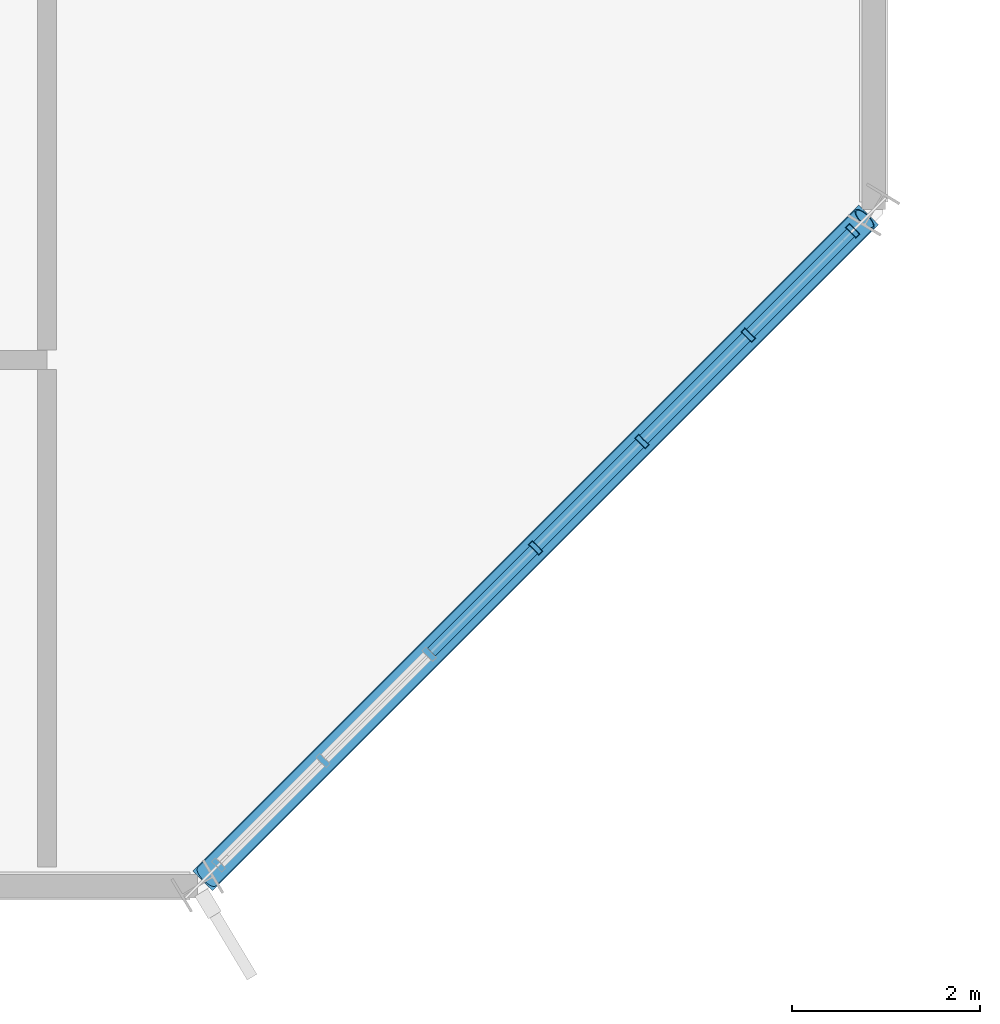
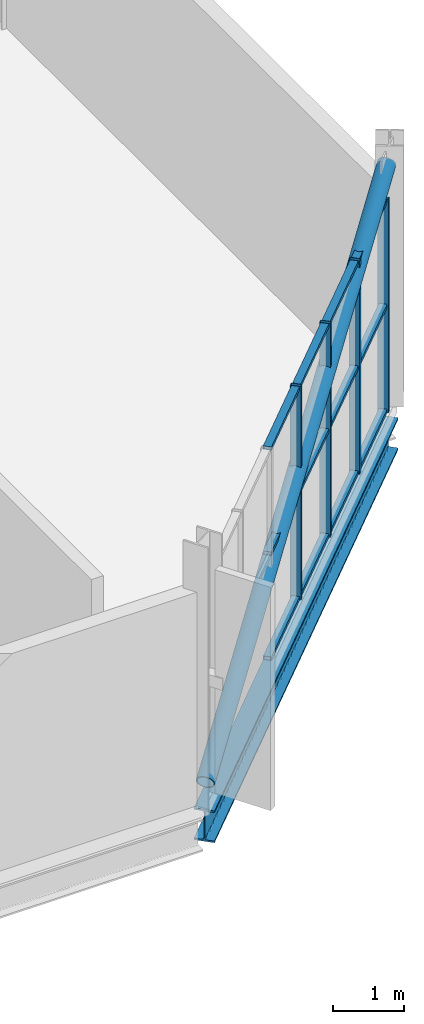
# One storey, part 11 of 22: 17 members, 1 beam, 1 element without a shape of its own.
"""IFC4 building model written with IfcOpenShell, lengths in metres."""

from ifc_helpers import new_model, si_unit, direction, frame, origin, origin_2d, place, context, subcontext, project, spatial, hollow_rectangle, hollow_circle, i_section, extrude, material, layer, layer_set, material_profile, profile_set, type_object, element, aggregate, save


model = new_model("IFC4")

# Units and contexts
model_context = context("Model", 3, precision=1e-05, world=origin(), true_north=direction((0.0, 1.0)))
body_context = subcontext(model_context, "Body", "Model", "MODEL_VIEW")
ifc_project = project(units=[si_unit("LENGTHUNIT", "METRE"), si_unit("AREAUNIT", "SQUARE_METRE"), si_unit("VOLUMEUNIT", "CUBIC_METRE"), si_unit("PLANEANGLEUNIT", "RADIAN"), si_unit("MASSUNIT", "GRAM", prefix="KILO")], contexts=[model_context])

# Site, building, storey
site_placement = place(None, origin())
site = spatial("IfcSite", under=ifc_project, at=site_placement, CompositionType="ELEMENT")
building_placement = place(site_placement, origin())
building = spatial("IfcBuilding", under=site, at=building_placement, Name="Solnavia Interchange Tower", CompositionType="ELEMENT")
storey_placement = place(building_placement, frame((0.0, 0.0, 317.699951171875)))
storey = spatial("IfcBuildingStorey", under=building, at=storey_placement, Name="C04", CompositionType="ELEMENT", Elevation=317.699951171875)

# Curtain wall, members
ifc_material_1 = material(Name="Aluminium Alloy 6063-T6", Category="aluminium")
ifc_layer = layer(ifc_material_1, 0.179931640625)
ifc_layer_set = layer_set([ifc_layer], Name="Aluminium Alloy 6063-T6")
curtain_wall_type = type_object("IfcCurtainWallType", Name="CurtainWall-Crown-CTW6", PredefinedType="NOTDEFINED", material=ifc_layer_set)
curtain_wall_placement = place(storey_placement, origin())
curtain_wall = element("IfcCurtainWall", 1, at=curtain_wall_placement, inside=storey, type_object=curtain_wall_type, Name="CTW-C04-R15 CTW-6 curtain wall", PredefinedType="NOTDEFINED")
ifc_material_profile_1 = material_profile(ifc_material_1, hollow_rectangle(XDim=0.06005859375, YDim=0.159912109375, WallThickness=0.00390625, at=origin_2d()), Name="ALU 160x60x4")
ifc_profile_set_1 = profile_set([ifc_material_profile_1], Name="Aluminium Alloy 6063-T6")
member_type_1 = type_object("IfcMemberType", Name="CW-Mullion-CWM-6", PredefinedType="MULLION", material=ifc_profile_set_1)
member_1_placement = place(storey_placement, frame((39.60009765625, 7.199951171875, 0.0), z_axis=(0.0, 0.0, 1.0), x_axis=(0.707106781187, 0.707106781187, 0.0)))
member_1 = element("IfcMember", 2, at=member_1_placement, type_object=member_type_1, Name="CTW-6 mullion 4", PredefinedType="MULLION", context=body_context, shape_type="SweptSolid", body=[
    extrude(hollow_rectangle(XDim=0.06005859375, YDim=0.159912109375, WallThickness=0.00390625, at=origin_2d()), origin(), (0.0, 0.0, 1.0), 3.679931640625),
])
member_2_placement = place(storey_placement, frame((40.73193359375, 8.33203125, 0.0), z_axis=(0.0, 0.0, 1.0), x_axis=(0.707106781187, 0.707106781187, 0.0)))
member_2 = element("IfcMember", 3, at=member_2_placement, type_object=member_type_1, Name="CTW-6 mullion 5", PredefinedType="MULLION", context=body_context, shape_type="SweptSolid", body=[
    extrude(hollow_rectangle(XDim=0.06005859375, YDim=0.159912109375, WallThickness=0.00390625, at=origin_2d()), origin(), (0.0, 0.0, 1.0), 3.679931640625),
])
member_3_placement = place(storey_placement, frame((41.864013671875, 9.464111328125, 0.0), z_axis=(0.0, 0.0, 1.0), x_axis=(0.707106781187, 0.707106781187, 0.0)))
member_3 = element("IfcMember", 4, at=member_3_placement, type_object=member_type_1, Name="CTW-6 mullion 6", PredefinedType="MULLION", context=body_context, shape_type="SweptSolid", body=[
    extrude(hollow_rectangle(XDim=0.06005859375, YDim=0.159912109375, WallThickness=0.00390625, at=origin_2d()), origin(), (0.0, 0.0, 1.0), 3.679931640625),
])
member_4_placement = place(storey_placement, frame((42.974853515625, 10.57470703125, 0.0), z_axis=(0.0, 0.0, 1.0), x_axis=(0.707106781187, 0.707106781187, 0.0)))
member_4 = element("IfcMember", 5, at=member_4_placement, type_object=member_type_1, Name="CTW-6 mullion 7", PredefinedType="MULLION", context=body_context, shape_type="SweptSolid", body=[
    extrude(hollow_rectangle(XDim=0.06005859375, YDim=0.159912109375, WallThickness=0.00390625, at=origin_2d()), origin(), (0.0, 0.0, 1.0), 3.679931640625),
])
ifc_material_profile_2 = material_profile(ifc_material_1, hollow_rectangle(XDim=0.06005859375, YDim=0.1201171875, WallThickness=0.00390625, at=origin_2d()), Name="ALU 120x60x4")
ifc_profile_set_2 = profile_set([ifc_material_profile_2], Name="Aluminium Alloy 6063-T6")
member_type_2 = type_object("IfcMemberType", Name="CW-Transom-CWT-6", PredefinedType="USERDEFINED", material=ifc_profile_set_2)
member_5_placement = place(storey_placement, frame((38.4892578125, 6.089111328125, 0.030029296875), z_axis=(0.707106781187, 0.707106781187, 0.0), x_axis=(0.0, 0.0, 1.0)))
member_5 = element("IfcMember", 6, at=member_5_placement, type_object=member_type_2, Name="CTW-6 transom 3.1", ObjectType="TRANSOM", PredefinedType="USERDEFINED", context=body_context, shape_type="SweptSolid", body=[
    extrude(hollow_rectangle(XDim=0.06005859375, YDim=0.1201171875, WallThickness=0.00390625, at=origin_2d()), origin(), (0.0, 0.0, 1.0), 1.541015625),
])
member_6_placement = place(storey_placement, frame((38.4892578125, 6.089111328125, 1.840087890625), z_axis=(0.707106781187, 0.707106781187, 0.0), x_axis=(0.0, 0.0, 1.0)))
member_6 = element("IfcMember", 7, at=member_6_placement, type_object=member_type_2, Name="CTW-6 transom 3.2", ObjectType="TRANSOM", PredefinedType="USERDEFINED", context=body_context, shape_type="SweptSolid", body=[
    extrude(hollow_rectangle(XDim=0.06005859375, YDim=0.1201171875, WallThickness=0.00390625, at=origin_2d()), origin(), (0.0, 0.0, 1.0), 1.541015625),
])
member_7_placement = place(storey_placement, frame((38.4892578125, 6.089111328125, 3.650146484375), z_axis=(0.707106781187, 0.707106781187, 0.0), x_axis=(0.0, 0.0, 1.0)))
member_7 = element("IfcMember", 8, at=member_7_placement, type_object=member_type_2, Name="CTW-6 transom 3.3", ObjectType="TRANSOM", PredefinedType="USERDEFINED", context=body_context, shape_type="SweptSolid", body=[
    extrude(hollow_rectangle(XDim=0.06005859375, YDim=0.1201171875, WallThickness=0.00390625, at=origin_2d()), origin(), (0.0, 0.0, 1.0), 1.541015625),
])
member_8_placement = place(storey_placement, frame((39.62109375, 7.22119140625, 0.030029296875), z_axis=(0.707106781187, 0.707106781187, 0.0), x_axis=(0.0, 0.0, 1.0)))
member_8 = element("IfcMember", 9, at=member_8_placement, type_object=member_type_2, Name="CTW-6 transom 4.1", ObjectType="TRANSOM", PredefinedType="USERDEFINED", context=body_context, shape_type="SweptSolid", body=[
    extrude(hollow_rectangle(XDim=0.06005859375, YDim=0.1201171875, WallThickness=0.00390625, at=origin_2d()), origin(), (0.0, 0.0, 1.0), 1.541015625),
])
member_9_placement = place(storey_placement, frame((39.62109375, 7.22119140625, 1.840087890625), z_axis=(0.707106781187, 0.707106781187, 0.0), x_axis=(0.0, 0.0, 1.0)))
member_9 = element("IfcMember", 10, at=member_9_placement, type_object=member_type_2, Name="CTW-6 transom 4.2", ObjectType="TRANSOM", PredefinedType="USERDEFINED", context=body_context, shape_type="SweptSolid", body=[
    extrude(hollow_rectangle(XDim=0.06005859375, YDim=0.1201171875, WallThickness=0.00390625, at=origin_2d()), origin(), (0.0, 0.0, 1.0), 1.541015625),
])
member_10_placement = place(storey_placement, frame((39.62109375, 7.22119140625, 3.650146484375), z_axis=(0.707106781187, 0.707106781187, 0.0), x_axis=(0.0, 0.0, 1.0)))
member_10 = element("IfcMember", 11, at=member_10_placement, type_object=member_type_2, Name="CTW-6 transom 4.3", ObjectType="TRANSOM", PredefinedType="USERDEFINED", context=body_context, shape_type="SweptSolid", body=[
    extrude(hollow_rectangle(XDim=0.06005859375, YDim=0.1201171875, WallThickness=0.00390625, at=origin_2d()), origin(), (0.0, 0.0, 1.0), 1.541015625),
])
member_11_placement = place(storey_placement, frame((40.753173828125, 8.353271484375, 0.030029296875), z_axis=(0.707106781187, 0.707106781187, 0.0), x_axis=(0.0, 0.0, 1.0)))
member_11 = element("IfcMember", 12, at=member_11_placement, type_object=member_type_2, Name="CTW-6 transom 5.1", ObjectType="TRANSOM", PredefinedType="USERDEFINED", context=body_context, shape_type="SweptSolid", body=[
    extrude(hollow_rectangle(XDim=0.06005859375, YDim=0.1201171875, WallThickness=0.00390625, at=origin_2d()), origin(), (0.0, 0.0, 1.0), 1.541015625),
])
member_12_placement = place(storey_placement, frame((40.753173828125, 8.353271484375, 1.840087890625), z_axis=(0.707106781187, 0.707106781187, 0.0), x_axis=(0.0, 0.0, 1.0)))
member_12 = element("IfcMember", 13, at=member_12_placement, type_object=member_type_2, Name="CTW-6 transom 5.2", ObjectType="TRANSOM", PredefinedType="USERDEFINED", context=body_context, shape_type="SweptSolid", body=[
    extrude(hollow_rectangle(XDim=0.06005859375, YDim=0.1201171875, WallThickness=0.00390625, at=origin_2d()), origin(), (0.0, 0.0, 1.0), 1.541015625),
])
member_13_placement = place(storey_placement, frame((40.753173828125, 8.353271484375, 3.650146484375), z_axis=(0.707106781187, 0.707106781187, 0.0), x_axis=(0.0, 0.0, 1.0)))
member_13 = element("IfcMember", 14, at=member_13_placement, type_object=member_type_2, Name="CTW-6 transom 5.3", ObjectType="TRANSOM", PredefinedType="USERDEFINED", context=body_context, shape_type="SweptSolid", body=[
    extrude(hollow_rectangle(XDim=0.06005859375, YDim=0.1201171875, WallThickness=0.00390625, at=origin_2d()), origin(), (0.0, 0.0, 1.0), 1.541015625),
])
member_14_placement = place(storey_placement, frame((41.88525390625, 9.485107421875, 0.030029296875), z_axis=(0.707106781187, 0.707106781187, 0.0), x_axis=(0.0, 0.0, 1.0)))
member_14 = element("IfcMember", 15, at=member_14_placement, type_object=member_type_2, Name="CTW-6 transom 6.1", ObjectType="TRANSOM", PredefinedType="USERDEFINED", context=body_context, shape_type="SweptSolid", body=[
    extrude(hollow_rectangle(XDim=0.06005859375, YDim=0.1201171875, WallThickness=0.00390625, at=origin_2d()), origin(), (0.0, 0.0, 1.0), 1.510986328125),
])
member_15_placement = place(storey_placement, frame((41.88525390625, 9.485107421875, 1.840087890625), z_axis=(0.707106781187, 0.707106781187, 0.0), x_axis=(0.0, 0.0, 1.0)))
member_15 = element("IfcMember", 16, at=member_15_placement, type_object=member_type_2, Name="CTW-6 transom 6.2", ObjectType="TRANSOM", PredefinedType="USERDEFINED", context=body_context, shape_type="SweptSolid", body=[
    extrude(hollow_rectangle(XDim=0.06005859375, YDim=0.1201171875, WallThickness=0.00390625, at=origin_2d()), origin(), (0.0, 0.0, 1.0), 1.510986328125),
])
member_16_placement = place(storey_placement, frame((41.88525390625, 9.485107421875, 3.650146484375), z_axis=(0.707106781187, 0.707106781187, 0.0), x_axis=(0.0, 0.0, 1.0)))
member_16 = element("IfcMember", 17, at=member_16_placement, type_object=member_type_2, Name="CTW-6 transom 6.3", ObjectType="TRANSOM", PredefinedType="USERDEFINED", context=body_context, shape_type="SweptSolid", body=[
    extrude(hollow_rectangle(XDim=0.06005859375, YDim=0.1201171875, WallThickness=0.00390625, at=origin_2d()), origin(), (0.0, 0.0, 1.0), 1.510986328125),
])
aggregate(curtain_wall, [member_1, member_2, member_3, member_4, member_5, member_6, member_7, member_8, member_9, member_10, member_11, member_12, member_13, member_14, member_15, member_16])

# Member
ifc_material_2 = material(Name="Steel S355", Category="steel")
ifc_material_profile_3 = material_profile(ifc_material_2, hollow_circle(Radius=0.136474609375, WallThickness=0.012451171875, at=origin_2d()), Name="CHS 273x12.5")
ifc_profile_set_3 = profile_set([ifc_material_profile_3], Name="Steel S355")
member_type_3 = type_object("IfcMemberType", Name="CrownFrame-Brace-CHS273", PredefinedType="BRACE", material=ifc_profile_set_3)
member_17_placement = place(storey_placement, frame((36.09912109375, 3.698974609375, 0.179931640625), z_axis=(0.656089790069, 0.656089790069, 0.372950901238), x_axis=(-0.707106781187, 0.707106781187, 0.0)))
element("IfcMember", 18, at=member_17_placement, inside=storey, type_object=member_type_3, Name="BRC-C04-CF15 CROWN FRAME ring brace", PredefinedType="BRACE", context=body_context, shape_type="SweptSolid", body=[
    extrude(hollow_circle(Radius=0.136474609375, WallThickness=0.012451171875, at=origin_2d()), origin(), (0.0, 0.0, 1.0), 10.67236328125),
])

# Beam
ifc_material_3 = material(Name="Steel S460", Category="steel")
ifc_material_profile_4 = material_profile(ifc_material_3, i_section(OverallWidth=0.300048828125, OverallDepth=0.550048828125, WebThickness=0.014892578125, FlangeThickness=0.029052734375, FilletRadius=0.027099609375, at=origin_2d()), Name="HEB 550")
ifc_profile_set_4 = profile_set([ifc_material_profile_4], Name="Steel S460")
beam_type = type_object("IfcBeamType", Name="CrownFrame-Ring-HEB550", PredefinedType="BEAM", material=ifc_profile_set_4)
beam_placement = place(storey_placement, frame((36.056640625, 3.656494140625, -0.52490234375), z_axis=(0.707094601135, 0.707118961028, 0.0), x_axis=(-0.707118961028, 0.707094601135, 0.0)))
element("IfcBeam", 19, at=beam_placement, inside=storey, type_object=beam_type, Name="GRD-C04-CR15 CROWN FRAME outer collar ring beam", PredefinedType="BEAM", context=body_context, shape_type="SweptSolid", body=[
    extrude(i_section(OverallWidth=0.300048828125, OverallDepth=0.550048828125, WebThickness=0.014892578125, FlangeThickness=0.029052734375, FilletRadius=0.027099609375, at=origin_2d()), origin(), (0.0, 0.0, 1.0), 10.022216796875),
])

save(model, "model.ifc")
